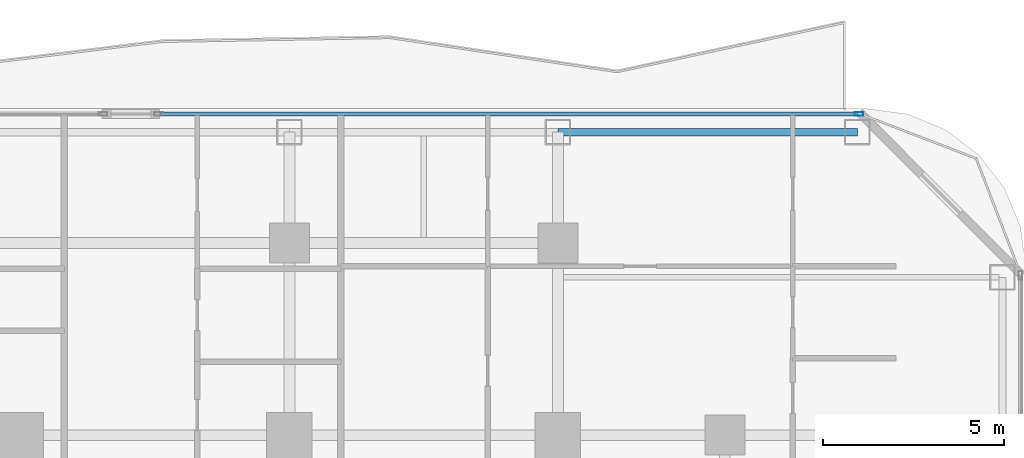
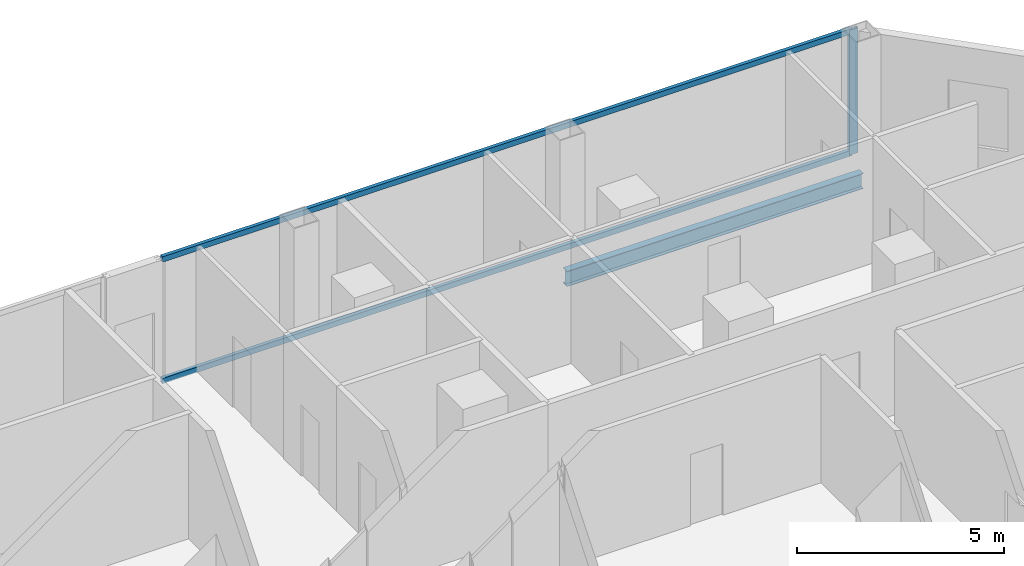
# One storey, part 18 of 29: 3 members, 1 beam, 1 element without a shape of its own.
"""IFC4 building model written with IfcOpenShell, lengths in metres."""

from ifc_helpers import new_model, si_unit, direction, frame, origin, origin_2d, place, context, subcontext, project, spatial, hollow_rectangle, i_section, extrude, material, layer, layer_set, material_profile, profile_set, type_object, element, aggregate, save


model = new_model("IFC4")

# Units and contexts
model_context = context("Model", 3, precision=1e-05, world=origin(), true_north=direction((0.0, 1.0)))
body_context = subcontext(model_context, "Body", "Model", "MODEL_VIEW")
ifc_project = project(units=[si_unit("LENGTHUNIT", "METRE"), si_unit("AREAUNIT", "SQUARE_METRE"), si_unit("VOLUMEUNIT", "CUBIC_METRE"), si_unit("PLANEANGLEUNIT", "RADIAN"), si_unit("MASSUNIT", "GRAM", prefix="KILO")], contexts=[model_context])

# Site, building, storey
site_placement = place(None, origin())
site = spatial("IfcSite", under=ifc_project, at=site_placement, CompositionType="ELEMENT")
building_placement = place(site_placement, origin())
building = spatial("IfcBuilding", under=site, at=building_placement, Name="Khorvyn Point Tower", CompositionType="ELEMENT")
storey_placement = place(building_placement, frame((0.0, 0.0, 140.699951171875)))
storey = spatial("IfcBuildingStorey", under=building, at=storey_placement, Name="L35", CompositionType="ELEMENT", Elevation=140.699951171875)

# Curtain wall, members
ifc_material_1 = material(Name="Anodised aluminium 6063-T6 and laminated Low-E glass", Category="aluminium")
ifc_layer = layer(ifc_material_1, 0.18994140625)
ifc_layer_set = layer_set([ifc_layer], Name="Stick-Built Acoustic Curtain Wall CW-SYS-03")
curtain_wall_type = type_object("IfcCurtainWallType", Name="Stick-Built Acoustic Curtain Wall CW-SYS-03", PredefinedType="NOTDEFINED", material=ifc_layer_set)
curtain_wall_placement = place(storey_placement, origin())
curtain_wall = element("IfcCurtainWall", 1, at=curtain_wall_placement, inside=storey, type_object=curtain_wall_type, Name="Curtain Wall", PredefinedType="NOTDEFINED")
ifc_material_2 = material(Name="Anodised aluminium 6063-T6", Category="aluminium")
ifc_material_profile_1 = material_profile(ifc_material_2, hollow_rectangle(XDim=0.10009765625, YDim=0.239990234375, WallThickness=0.0048828125, at=origin_2d()))
ifc_profile_set_1 = profile_set([ifc_material_profile_1], Name="Anodised aluminium 6063-T6 ALU-MUL-100x240")
member_type_1 = type_object("IfcMemberType", Name="Anodised Aluminium 6063-T6 Mullion ALU-MUL-100x240", PredefinedType="MULLION", material=ifc_profile_set_1)
member_1_placement = place(storey_placement, frame((23.10009765625, 23.64990234375, 0.0), z_axis=(0.0, 0.0, 1.0), x_axis=(0.0, 1.0, 0.0)))
member_1 = element("IfcMember", 2, at=member_1_placement, type_object=member_type_1, Name="Transom", PredefinedType="MULLION", context=body_context, shape_type="SweptSolid", body=[
    extrude(hollow_rectangle(XDim=0.10009765625, YDim=0.239990234375, WallThickness=0.0048828125, at=origin_2d()), origin(), (0.0, 0.0, 1.0), 3.679931640625),
])
ifc_material_profile_2 = material_profile(ifc_material_2, hollow_rectangle(XDim=0.10009765625, YDim=0.159912109375, WallThickness=0.00439453125, at=origin_2d()))
ifc_profile_set_2 = profile_set([ifc_material_profile_2], Name="Anodised aluminium 6063-T6 ALU-TRN-100x160")
member_type_2 = type_object("IfcMemberType", Name="Anodised Aluminium 6063-T6 Transom ALU-TRN-100x160", PredefinedType="USERDEFINED", material=ifc_profile_set_2)
member_2_placement = place(storey_placement, frame((3.85205078125, 23.64990234375, 0.050048828125), z_axis=(1.0, 0.0, 0.0), x_axis=(0.0, 1.0, 0.0)))
member_2 = element("IfcMember", 3, at=member_2_placement, type_object=member_type_2, Name="Transom", ObjectType="TRANSOM", PredefinedType="USERDEFINED", context=body_context, shape_type="SweptSolid", body=[
    extrude(hollow_rectangle(XDim=0.10009765625, YDim=0.159912109375, WallThickness=0.00439453125, at=origin_2d()), origin(), (0.0, 0.0, 1.0), 19.197998046875),
])
member_3_placement = place(storey_placement, frame((3.85205078125, 23.64990234375, 3.630126953125), z_axis=(1.0, 0.0, 0.0), x_axis=(0.0, 1.0, 0.0)))
member_3 = element("IfcMember", 4, at=member_3_placement, type_object=member_type_2, Name="Transom", ObjectType="TRANSOM", PredefinedType="USERDEFINED", context=body_context, shape_type="SweptSolid", body=[
    extrude(hollow_rectangle(XDim=0.10009765625, YDim=0.159912109375, WallThickness=0.00439453125, at=origin_2d()), origin(), (0.0, 0.0, 1.0), 19.197998046875),
])
aggregate(curtain_wall, [member_1, member_2, member_3])

# Beam
ifc_material_3 = material(Name="Steel S355", Category="steel")
ifc_material_profile_3 = material_profile(ifc_material_3, i_section(OverallWidth=0.199951171875, OverallDepth=0.449951171875, WebThickness=0.009033203125, FlangeThickness=0.013916015625, at=origin_2d()))
ifc_profile_set_3 = profile_set([ifc_material_profile_3], Name="Steel S355 H450x200x9x14")
beam_type = type_object("IfcBeamType", Name="Steel S355 Spandrel H450x200x9x14", PredefinedType="SPANDREL", material=ifc_profile_set_3)
beam_placement = place(storey_placement, frame((14.800048828125, 23.14990234375, -0.445068359375), z_axis=(1.0, 0.0, 0.0), x_axis=(0.0, 1.0, 0.0)))
element("IfcBeam", 5, at=beam_placement, inside=storey, type_object=beam_type, Name="Beam", PredefinedType="SPANDREL", context=body_context, shape_type="SweptSolid", body=[
    extrude(i_section(OverallWidth=0.199951171875, OverallDepth=0.449951171875, WebThickness=0.009033203125, FlangeThickness=0.013916015625, at=origin_2d()), origin(), (0.0, 0.0, 1.0), 8.25),
])

save(model, "model.ifc")
